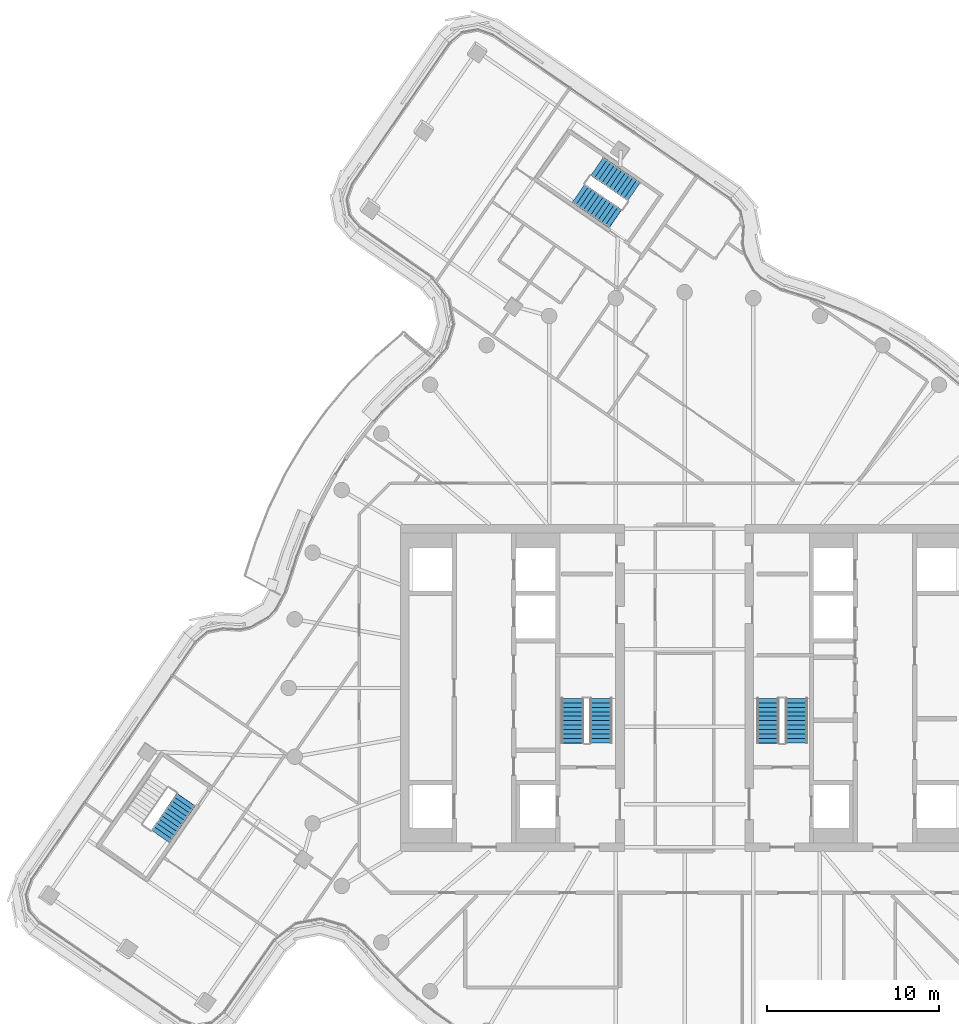
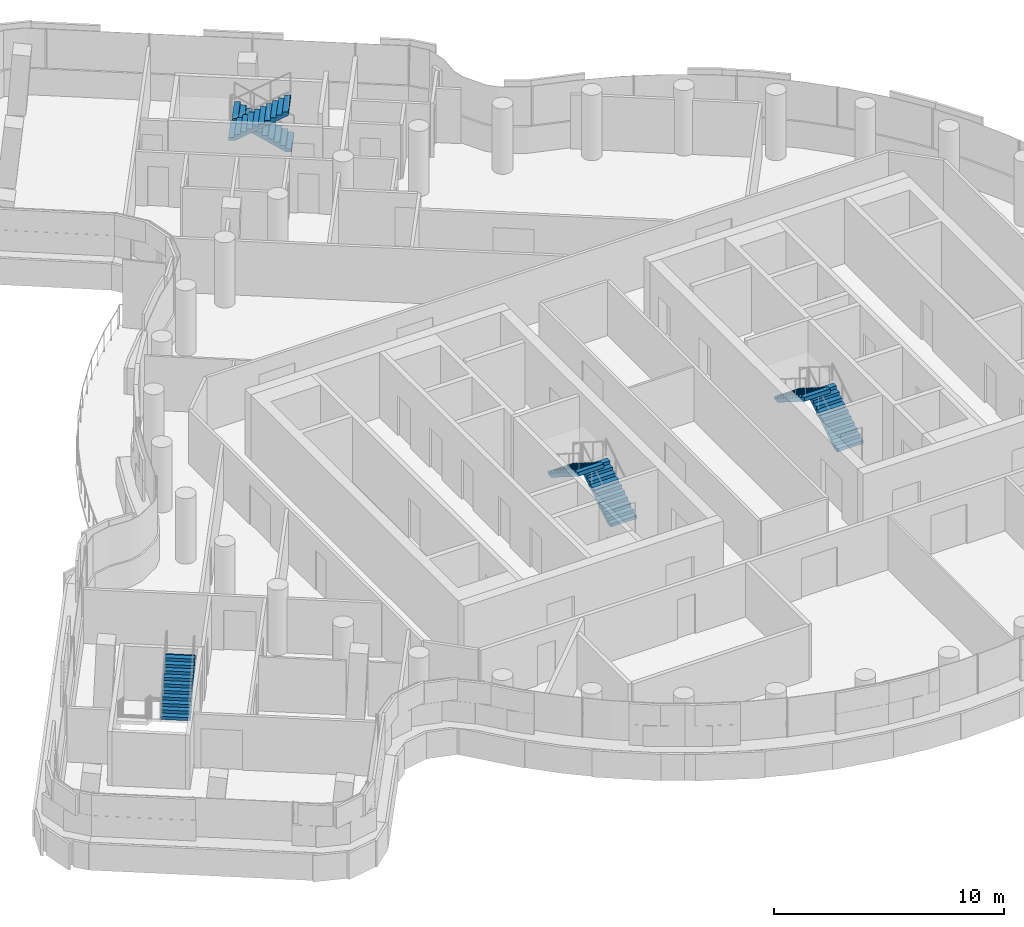
# One storey, part 20 of 26: 7 stair flights, 4 elements without a shape of their own.
"""IFC4 building model written with IfcOpenShell, lengths in metres."""

from ifc_helpers import new_model, si_unit, direction, frame, origin, place, context, subcontext, project, spatial, polyline, outline, extrude, material, type_object, element, aggregate, save


model = new_model("IFC4")

# Units and contexts
model_context = context("Model", 3, precision=1e-05, world=origin(), true_north=direction((0.0, 1.0)))
body_context = subcontext(model_context, "Body", "Model", "MODEL_VIEW")
ifc_project = project(units=[si_unit("LENGTHUNIT", "METRE"), si_unit("AREAUNIT", "SQUARE_METRE"), si_unit("VOLUMEUNIT", "CUBIC_METRE"), si_unit("PLANEANGLEUNIT", "RADIAN"), si_unit("MASSUNIT", "GRAM", prefix="KILO")], contexts=[model_context])

# Site, building, storey
site_placement = place(None, origin())
site = spatial("IfcSite", under=ifc_project, at=site_placement, CompositionType="ELEMENT")
building_placement = place(site_placement, origin())
building = spatial("IfcBuilding", under=site, at=building_placement, Name="Tamarind Cross Interchange Tower", CompositionType="ELEMENT")
storey_placement = place(building_placement, frame((0.0, 0.0, 234.300048828125)))
storey = spatial("IfcBuildingStorey", under=building, at=storey_placement, Name="L59", CompositionType="ELEMENT", Elevation=234.300048828125)

# Stair, stair flights
ifc_material_1 = material(Name="Exit stair")
stair_type = type_object("IfcStairType", Name="Exit stair", PredefinedType="HALF_TURN_STAIR", material=ifc_material_1)
stair_1_placement = place(storey_placement, origin())
stair_1 = element("IfcStair", 1, at=stair_1_placement, inside=storey, type_object=stair_type, Name="L59 exit stair ST1", PredefinedType="HALF_TURN_STAIR")
ifc_material_2 = material(Name="Exit stair flight")
stair_flight_type = type_object("IfcStairFlightType", Name="Exit stair flight", PredefinedType="STRAIGHT", material=ifc_material_2)
stair_flight_1_placement = place(storey_placement, frame((-4.85009765625, -3.199951171875, 0.0), z_axis=(0.0, 0.0, 1.0), x_axis=(0.0, 1.0, 0.0)))
stair_flight_1 = element("IfcStairFlight", 2, at=stair_flight_1_placement, type_object=stair_flight_type, Name="ST1 flight 1", NumberOfRisers=11, NumberOfTreads=10, PredefinedType="STRAIGHT", RiserHeight=0.163636364, TreadLength=0.26, context=body_context, shape_type="SweptSolid", body=[
    extrude(outline(polyline([(0.0, 0.0), (0.0, 0.16357421875), (0.260009765625, 0.16357421875), (0.260009765625, 0.327392578125), (0.52001953125, 0.327392578125), (0.52001953125, 0.490966796875), (0.780029296875, 0.490966796875), (0.780029296875, 0.654541015625), (1.0400390625, 0.654541015625), (1.0400390625, 0.818115234375), (1.300048828125, 0.818115234375), (1.300048828125, 0.98193359375), (1.56005859375, 0.98193359375), (1.56005859375, 1.1455078125), (1.820068359375, 1.1455078125), (1.820068359375, 1.30908203125), (2.080078125, 1.30908203125), (2.080078125, 1.47265625), (2.340087890625, 1.47265625), (2.340087890625, 1.636474609375), (2.60009765625, 1.636474609375), (2.60009765625, 1.800048828125), (2.60009765625, 1.459228515625), (0.281494140625, 0.0), (0.0, 0.0)])), frame((0.0, 0.64990234375, 0.0), z_axis=(0.0, -1.0, 0.0), x_axis=(1.0, 0.0, 0.0)), (0.0, 0.0, 1.0), 1.300048828125),
])
stair_flight_2_placement = place(storey_placement, frame((-6.5, -0.60009765625, 1.800048828125), z_axis=(0.0, 0.0, 1.0), x_axis=(0.0, -1.0, 0.0)))
stair_flight_2 = element("IfcStairFlight", 3, at=stair_flight_2_placement, type_object=stair_flight_type, Name="ST1 flight 2", NumberOfRisers=11, NumberOfTreads=10, PredefinedType="STRAIGHT", RiserHeight=0.163636364, TreadLength=0.26, context=body_context, shape_type="SweptSolid", body=[
    extrude(outline(polyline([(0.0, 0.0), (0.0, 0.16357421875), (0.260009765625, 0.16357421875), (0.260009765625, 0.327392578125), (0.52001953125, 0.327392578125), (0.52001953125, 0.490966796875), (0.780029296875, 0.490966796875), (0.780029296875, 0.654541015625), (1.0400390625, 0.654541015625), (1.0400390625, 0.818115234375), (1.300048828125, 0.818115234375), (1.300048828125, 0.98193359375), (1.56005859375, 0.98193359375), (1.56005859375, 1.1455078125), (1.820068359375, 1.1455078125), (1.820068359375, 1.30908203125), (2.080078125, 1.30908203125), (2.080078125, 1.47265625), (2.340087890625, 1.47265625), (2.340087890625, 1.636474609375), (2.60009765625, 1.636474609375), (2.60009765625, 1.679931640625), (2.612060546875, 1.679931640625), (2.612060546875, 1.466796875), (0.281494140625, 0.0), (0.0, 0.0)])), frame((0.0, 0.64990234375, 0.0), z_axis=(0.0, -1.0, 0.0), x_axis=(1.0, 0.0, 0.0)), (0.0, 0.0, 1.0), 1.300048828125),
])
aggregate(stair_1, [stair_flight_1, stair_flight_2])

stair_2_placement = place(storey_placement, origin())
stair_2 = element("IfcStair", 4, at=stair_2_placement, inside=storey, type_object=stair_type, Name="L59 exit stair ST2", PredefinedType="HALF_TURN_STAIR")
stair_flight_3_placement = place(storey_placement, frame((6.5, -3.199951171875, 0.0), z_axis=(0.0, 0.0, 1.0), x_axis=(0.0, 1.0, 0.0)))
stair_flight_3 = element("IfcStairFlight", 5, at=stair_flight_3_placement, type_object=stair_flight_type, Name="ST2 flight 1", NumberOfRisers=11, NumberOfTreads=10, PredefinedType="STRAIGHT", RiserHeight=0.163636364, TreadLength=0.26, context=body_context, shape_type="SweptSolid", body=[
    extrude(outline(polyline([(0.0, 0.0), (0.0, 0.16357421875), (0.260009765625, 0.16357421875), (0.260009765625, 0.327392578125), (0.52001953125, 0.327392578125), (0.52001953125, 0.490966796875), (0.780029296875, 0.490966796875), (0.780029296875, 0.654541015625), (1.0400390625, 0.654541015625), (1.0400390625, 0.818115234375), (1.300048828125, 0.818115234375), (1.300048828125, 0.98193359375), (1.56005859375, 0.98193359375), (1.56005859375, 1.1455078125), (1.820068359375, 1.1455078125), (1.820068359375, 1.30908203125), (2.080078125, 1.30908203125), (2.080078125, 1.47265625), (2.340087890625, 1.47265625), (2.340087890625, 1.636474609375), (2.60009765625, 1.636474609375), (2.60009765625, 1.800048828125), (2.60009765625, 1.459228515625), (0.281494140625, 0.0), (0.0, 0.0)])), frame((0.0, 0.64990234375, 0.0), z_axis=(0.0, -1.0, 0.0), x_axis=(1.0, 0.0, 0.0)), (0.0, 0.0, 1.0), 1.300048828125),
])
stair_flight_4_placement = place(storey_placement, frame((4.85009765625, -0.60009765625, 1.800048828125), z_axis=(0.0, 0.0, 1.0), x_axis=(0.0, -1.0, 0.0)))
stair_flight_4 = element("IfcStairFlight", 6, at=stair_flight_4_placement, type_object=stair_flight_type, Name="ST2 flight 2", NumberOfRisers=11, NumberOfTreads=10, PredefinedType="STRAIGHT", RiserHeight=0.163636364, TreadLength=0.26, context=body_context, shape_type="SweptSolid", body=[
    extrude(outline(polyline([(0.0, 0.0), (0.0, 0.16357421875), (0.260009765625, 0.16357421875), (0.260009765625, 0.327392578125), (0.52001953125, 0.327392578125), (0.52001953125, 0.490966796875), (0.780029296875, 0.490966796875), (0.780029296875, 0.654541015625), (1.0400390625, 0.654541015625), (1.0400390625, 0.818115234375), (1.300048828125, 0.818115234375), (1.300048828125, 0.98193359375), (1.56005859375, 0.98193359375), (1.56005859375, 1.1455078125), (1.820068359375, 1.1455078125), (1.820068359375, 1.30908203125), (2.080078125, 1.30908203125), (2.080078125, 1.47265625), (2.340087890625, 1.47265625), (2.340087890625, 1.636474609375), (2.60009765625, 1.636474609375), (2.60009765625, 1.679931640625), (2.612060546875, 1.679931640625), (2.612060546875, 1.466796875), (0.281494140625, 0.0), (0.0, 0.0)])), frame((0.0, 0.64990234375, 0.0), z_axis=(0.0, -1.0, 0.0), x_axis=(1.0, 0.0, 0.0)), (0.0, 0.0, 1.0), 1.300048828125),
])
aggregate(stair_2, [stair_flight_3, stair_flight_4])

stair_3_placement = place(storey_placement, origin())
stair_3 = element("IfcStair", 7, at=stair_3_placement, inside=storey, type_object=stair_type, Name="L59 exit stair ST4", PredefinedType="HALF_TURN_STAIR")
stair_flight_5_placement = place(storey_placement, frame((-2.939697265625, 28.830078125, 0.0), z_axis=(0.0, 0.0, 1.0), x_axis=(-0.822882571359, 0.56821146922, 0.0)))
stair_flight_5 = element("IfcStairFlight", 8, at=stair_flight_5_placement, type_object=stair_flight_type, Name="ST4 flight 1", NumberOfRisers=11, NumberOfTreads=10, PredefinedType="STRAIGHT", RiserHeight=0.163636364, TreadLength=0.26, context=body_context, shape_type="SweptSolid", body=[
    extrude(outline(polyline([(0.0, 0.0), (0.0, 0.16357421875), (0.260009765625, 0.16357421875), (0.260009765625, 0.327392578125), (0.52001953125, 0.327392578125), (0.52001953125, 0.490966796875), (0.780029296875, 0.490966796875), (0.780029296875, 0.654541015625), (1.0400390625, 0.654541015625), (1.0400390625, 0.818115234375), (1.300048828125, 0.818115234375), (1.300048828125, 0.98193359375), (1.56005859375, 0.98193359375), (1.56005859375, 1.1455078125), (1.820068359375, 1.1455078125), (1.820068359375, 1.30908203125), (2.080078125, 1.30908203125), (2.080078125, 1.47265625), (2.340087890625, 1.47265625), (2.340087890625, 1.636474609375), (2.60009765625, 1.636474609375), (2.60009765625, 1.800048828125), (2.60009765625, 1.459228515625), (0.281494140625, 0.0), (0.0, 0.0)])), frame((0.0, 0.64990234375, 0.0), z_axis=(0.0, -1.0, 0.0), x_axis=(1.0, 0.0, 0.0)), (0.0, 0.0, 1.0), 1.300048828125),
])
stair_flight_6_placement = place(storey_placement, frame((-6.158935546875, 28.743896484375, 1.800048828125), z_axis=(0.0, 0.0, 1.0), x_axis=(0.822882571359, -0.56821146922, 0.0)))
stair_flight_6 = element("IfcStairFlight", 9, at=stair_flight_6_placement, type_object=stair_flight_type, Name="ST4 flight 2", NumberOfRisers=11, NumberOfTreads=10, PredefinedType="STRAIGHT", RiserHeight=0.163636364, TreadLength=0.26, context=body_context, shape_type="SweptSolid", body=[
    extrude(outline(polyline([(0.0, 0.0), (0.0, 0.16357421875), (0.260009765625, 0.16357421875), (0.260009765625, 0.327392578125), (0.52001953125, 0.327392578125), (0.52001953125, 0.490966796875), (0.780029296875, 0.490966796875), (0.780029296875, 0.654541015625), (1.0400390625, 0.654541015625), (1.0400390625, 0.818115234375), (1.300048828125, 0.818115234375), (1.300048828125, 0.98193359375), (1.56005859375, 0.98193359375), (1.56005859375, 1.1455078125), (1.820068359375, 1.1455078125), (1.820068359375, 1.30908203125), (2.080078125, 1.30908203125), (2.080078125, 1.47265625), (2.340087890625, 1.47265625), (2.340087890625, 1.636474609375), (2.60009765625, 1.636474609375), (2.60009765625, 1.679931640625), (2.612060546875, 1.679931640625), (2.612060546875, 1.466796875), (0.281494140625, 0.0), (0.0, 0.0)])), frame((0.0, 0.64990234375, 0.0), z_axis=(0.0, -1.0, 0.0), x_axis=(1.0, 0.0, 0.0)), (0.0, 0.0, 1.0), 1.300048828125),
])
aggregate(stair_3, [stair_flight_5, stair_flight_6])

# Stair, stair flight
stair_4_placement = place(storey_placement, origin())
stair_4 = element("IfcStair", 10, at=stair_4_placement, inside=storey, type_object=stair_type, Name="L59 exit stair ST5", PredefinedType="HALF_TURN_STAIR")
stair_flight_7_placement = place(storey_placement, frame((-30.44873046875, -8.62744140625, 1.800048828125), z_axis=(0.0, 0.0, 1.0), x_axis=(0.56821146922, 0.822882571359, 0.0)))
stair_flight_7 = element("IfcStairFlight", 11, at=stair_flight_7_placement, type_object=stair_flight_type, Name="ST5 flight 2", NumberOfRisers=11, NumberOfTreads=10, PredefinedType="STRAIGHT", RiserHeight=0.163636364, TreadLength=0.26, context=body_context, shape_type="SweptSolid", body=[
    extrude(outline(polyline([(0.0, 0.0), (0.0, 0.16357421875), (0.260009765625, 0.16357421875), (0.260009765625, 0.327392578125), (0.52001953125, 0.327392578125), (0.52001953125, 0.490966796875), (0.780029296875, 0.490966796875), (0.780029296875, 0.654541015625), (1.0400390625, 0.654541015625), (1.0400390625, 0.818115234375), (1.300048828125, 0.818115234375), (1.300048828125, 0.98193359375), (1.56005859375, 0.98193359375), (1.56005859375, 1.1455078125), (1.820068359375, 1.1455078125), (1.820068359375, 1.30908203125), (2.080078125, 1.30908203125), (2.080078125, 1.47265625), (2.340087890625, 1.47265625), (2.340087890625, 1.636474609375), (2.60009765625, 1.636474609375), (2.60009765625, 1.679931640625), (2.612060546875, 1.679931640625), (2.612060546875, 1.466796875), (0.281494140625, 0.0), (0.0, 0.0)])), frame((0.0, 0.64990234375, 0.0), z_axis=(0.0, -1.0, 0.0), x_axis=(1.0, 0.0, 0.0)), (0.0, 0.0, 1.0), 1.300048828125),
])
aggregate(stair_4, [stair_flight_7])

save(model, "model.ifc")
